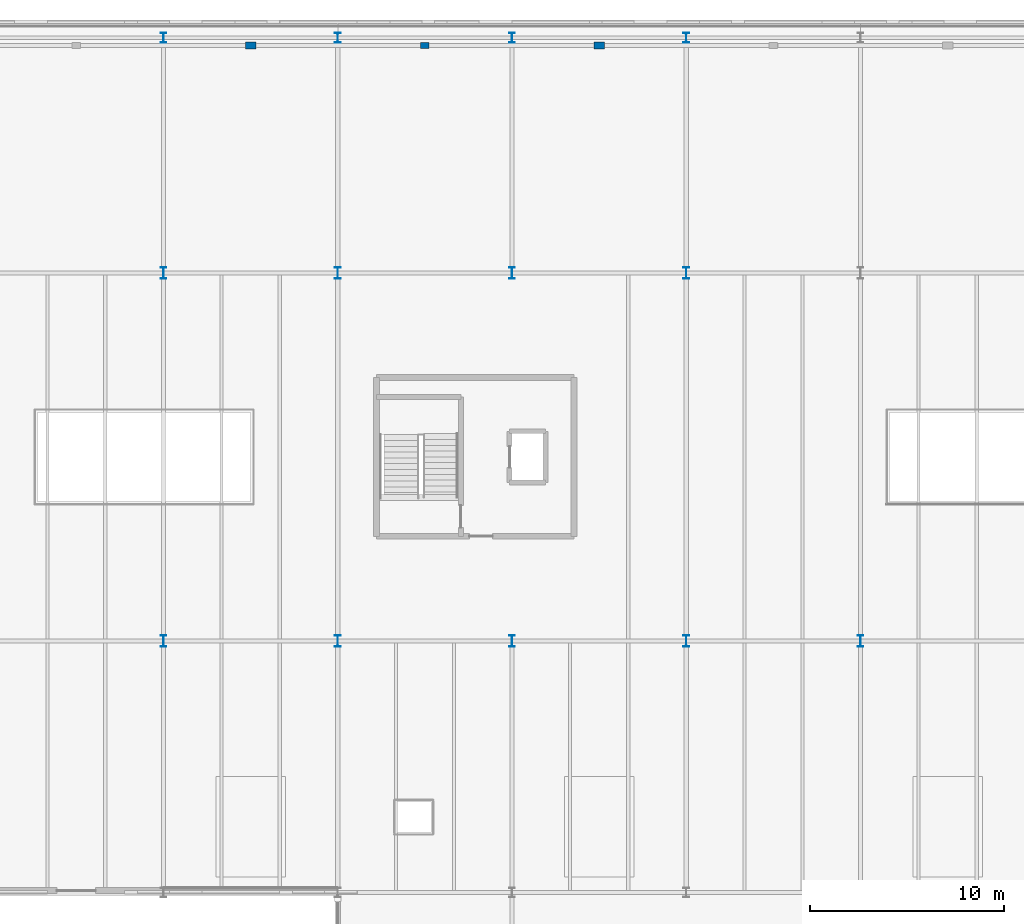
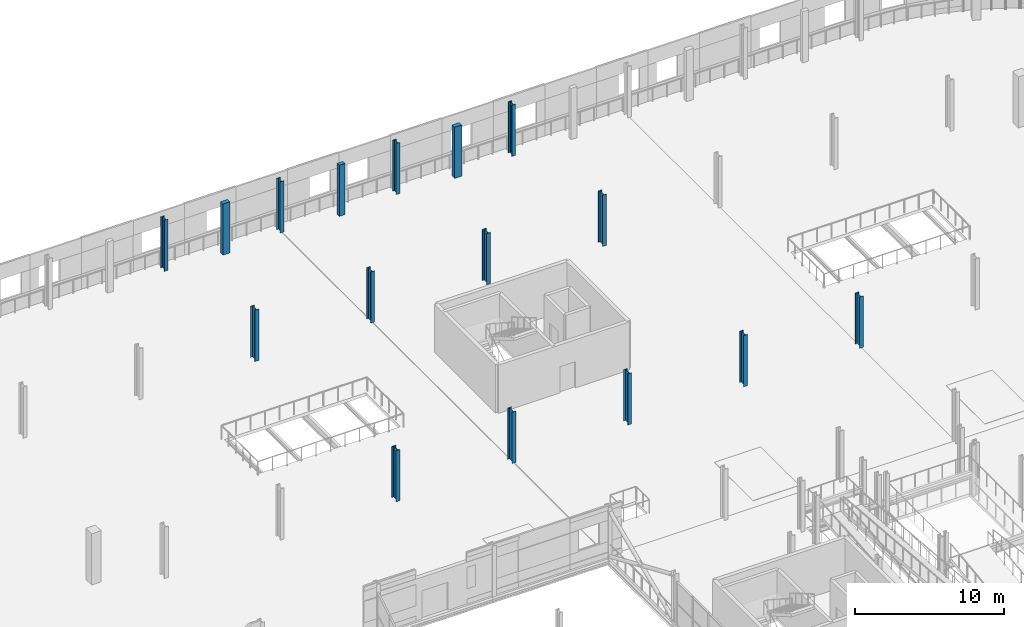
# One storey, part 14 of 140: 16 columns.
"""IFC4 building model written with IfcOpenShell, lengths in metres."""

from ifc_helpers import new_model, si_unit, direction, frame, origin, origin_2d, place, context, subcontext, project, spatial, rectangle, i_section, extrude, material, material_profile, profile_set, type_object, element, save


model = new_model("IFC4")

# Units and contexts
model_context = context("Model", 3, precision=1e-05, world=origin(), true_north=direction((0.0, 1.0)))
body_context = subcontext(model_context, "Body", "Model", "MODEL_VIEW")
ifc_project = project(units=[si_unit("LENGTHUNIT", "METRE"), si_unit("AREAUNIT", "SQUARE_METRE"), si_unit("VOLUMEUNIT", "CUBIC_METRE"), si_unit("PLANEANGLEUNIT", "RADIAN"), si_unit("MASSUNIT", "GRAM", prefix="KILO")], contexts=[model_context])

# Site, building, storey
site_placement = place(None, origin())
site = spatial("IfcSite", under=ifc_project, at=site_placement, CompositionType="ELEMENT")
building_placement = place(site_placement, origin())
building = spatial("IfcBuilding", under=site, at=building_placement, Name="Deido Ridge Mobility Hub", CompositionType="ELEMENT")
storey_placement = place(building_placement, origin())
storey = spatial("IfcBuildingStorey", under=building, at=storey_placement, Name="L00", CompositionType="ELEMENT", Elevation=0.0)

# Columns
ifc_material_1 = material(Name="Steel S355J2 EN 10025-2", Category="steel")
ifc_material_profile_1 = material_profile(ifc_material_1, i_section(OverallWidth=0.300048828125, OverallDepth=0.5, WebThickness=0.014404296875, FlangeThickness=0.028076171875, FilletRadius=0.027099609375, at=origin_2d()), Name="HEB 500")
ifc_profile_set_1 = profile_set([ifc_material_profile_1], Name="Steel S355J2 EN 10025-2")
column_type_1 = type_object("IfcColumnType", Name="COL-HEB500", PredefinedType="COLUMN", material=ifc_profile_set_1)
for number, where, z_axis, x_axis, name in (
    (1, (63.0, 125.14990234375, 0.0), (0.0, 0.0, 1.0), (1.0, 0.0, 0.0), "Structural column C5"),
    (2, (72.0, 125.14990234375, 0.0), (0.0, 0.0, 1.0), (1.0, 0.0, 0.0), "Structural column C5"),
    (3, (81.0, 125.14990234375, 0.0), (0.0, 0.0, 1.0), (1.0, 0.0, 0.0), "Structural column C5"),
    (4, (90.0, 125.14990234375, 0.0), (0.0, 0.0, 1.0), (1.0, 0.0, 0.0), "Structural column C5"),
):
    element("IfcColumn", number, at=place(storey_placement, frame(where, z_axis=z_axis, x_axis=x_axis)), inside=storey, type_object=column_type_1, Name=name, PredefinedType="COLUMN", context=body_context, shape_type="SweptSolid", body=[
        extrude(i_section(OverallWidth=0.300048828125, OverallDepth=0.5, WebThickness=0.014404296875, FlangeThickness=0.028076171875, FilletRadius=0.027099609375, at=origin_2d()), origin(), (0.0, 0.0, 1.0), 4.199951171875),
    ])
ifc_material_profile_2 = material_profile(ifc_material_1, i_section(OverallWidth=0.300048828125, OverallDepth=0.60009765625, WebThickness=0.015380859375, FlangeThickness=0.030029296875, FilletRadius=0.027099609375, at=origin_2d()), Name="HEB 600")
ifc_profile_set_2 = profile_set([ifc_material_profile_2], Name="Steel S355J2 EN 10025-2")
column_type_2 = type_object("IfcColumnType", Name="COL-HEB600", PredefinedType="COLUMN", material=ifc_profile_set_2)
for number, where, z_axis, x_axis, name in (
    (5, (63.0, 94.0, 0.0), (0.0, 0.0, 1.0), (1.0, 0.0, 0.0), "Structural column C4"),
    (6, (63.0, 113.0, 0.0), (0.0, 0.0, 1.0), (1.0, 0.0, 0.0), "Structural column C4"),
    (7, (72.0, 94.0, 0.0), (0.0, 0.0, 1.0), (1.0, 0.0, 0.0), "Structural column C4"),
    (8, (72.0, 113.0, 0.0), (0.0, 0.0, 1.0), (1.0, 0.0, 0.0), "Structural column C4"),
    (9, (81.0, 94.0, 0.0), (0.0, 0.0, 1.0), (1.0, 0.0, 0.0), "Structural column C4"),
    (10, (81.0, 113.0, 0.0), (0.0, 0.0, 1.0), (1.0, 0.0, 0.0), "Structural column C4"),
    (11, (90.0, 94.0, 0.0), (0.0, 0.0, 1.0), (1.0, 0.0, 0.0), "Structural column C4"),
    (12, (90.0, 113.0, 0.0), (0.0, 0.0, 1.0), (1.0, 0.0, 0.0), "Structural column C4"),
    (13, (99.0, 94.0, 0.0), (0.0, 0.0, 1.0), (1.0, 0.0, 0.0), "Structural column C4"),
):
    element("IfcColumn", number, at=place(storey_placement, frame(where, z_axis=z_axis, x_axis=x_axis)), inside=storey, type_object=column_type_2, Name=name, PredefinedType="COLUMN", context=body_context, shape_type="SweptSolid", body=[
        extrude(i_section(OverallWidth=0.300048828125, OverallDepth=0.60009765625, WebThickness=0.015380859375, FlangeThickness=0.030029296875, FilletRadius=0.027099609375, at=origin_2d()), origin(), (0.0, 0.0, 1.0), 4.199951171875),
    ])
ifc_material_2 = material(Name="Concrete C40/50", Category="concrete")
ifc_material_profile_3 = material_profile(ifc_material_2, rectangle(XDim=0.449951171875, YDim=0.300048828125, at=origin_2d()), Name="RC PILASTER 450x300")
ifc_profile_set_3 = profile_set([ifc_material_profile_3], Name="Concrete C40/50")
column_type_3 = type_object("IfcColumnType", Name="PIL-RC450", PredefinedType="PILASTER", material=ifc_profile_set_3)
column_placement = place(storey_placement, frame((76.5, 124.75, 0.0), z_axis=(0.0, 0.0, 1.0), x_axis=(1.0, 0.0, 0.0)))
element("IfcColumn", 14, at=column_placement, inside=storey, type_object=column_type_3, Name="Structural column PL2", PredefinedType="PILASTER", context=body_context, shape_type="SweptSolid", body=[
    extrude(rectangle(XDim=0.449951171875, YDim=0.300048828125, at=origin_2d()), origin(), (0.0, 0.0, 1.0), 4.199951171875),
])
ifc_material_profile_4 = material_profile(ifc_material_2, rectangle(XDim=0.550048828125, YDim=0.35009765625, at=origin_2d()), Name="RC PILASTER 550x350")
ifc_profile_set_4 = profile_set([ifc_material_profile_4], Name="Concrete C40/50")
column_type_4 = type_object("IfcColumnType", Name="PIL-RC550", PredefinedType="PILASTER", material=ifc_profile_set_4)
for number, where, z_axis, x_axis, name in (
    (15, (67.5, 124.75, 0.0), (0.0, 0.0, 1.0), (1.0, 0.0, 0.0), "Structural column PL1"),
    (16, (85.5, 124.75, 0.0), (0.0, 0.0, 1.0), (1.0, 0.0, 0.0), "Structural column PL1"),
):
    element("IfcColumn", number, at=place(storey_placement, frame(where, z_axis=z_axis, x_axis=x_axis)), inside=storey, type_object=column_type_4, Name=name, PredefinedType="PILASTER", context=body_context, shape_type="SweptSolid", body=[
        extrude(rectangle(XDim=0.550048828125, YDim=0.35009765625, at=origin_2d()), origin(), (0.0, 0.0, 1.0), 4.199951171875),
    ])

save(model, "model.ifc")
